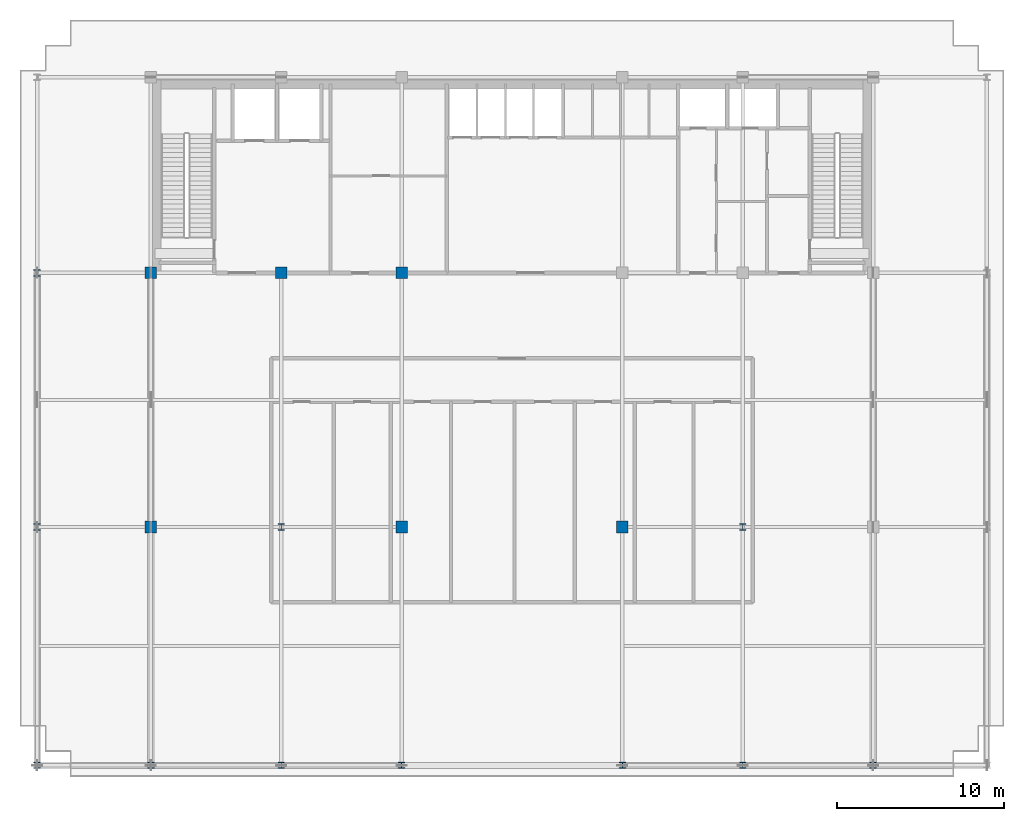
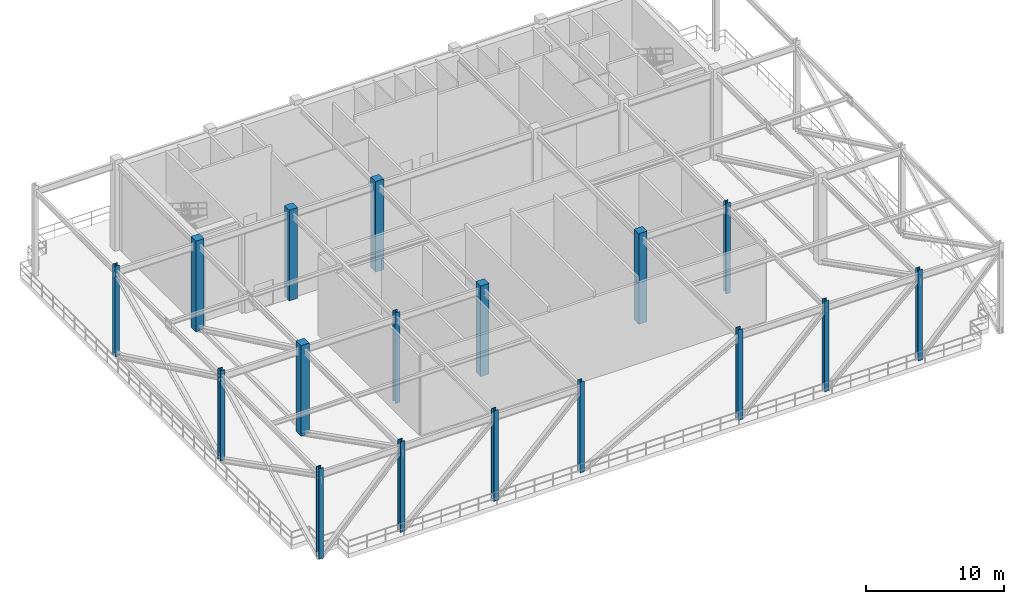
# One storey, part 1 of 14: 17 columns.
"""IFC4 building model written with IfcOpenShell, lengths in metres."""

from ifc_helpers import new_model, si_unit, direction, frame, origin, origin_2d, place, context, subcontext, project, spatial, rectangle, i_section, extrude, source, transform, mapped, material, material_profile, profile_set, type_object, element, save


model = new_model("IFC4")

# Units and contexts
model_context = context("Model", 3, precision=1e-05, world=origin(), true_north=direction((0.0, 1.0)))
body_context = subcontext(model_context, "Body", "Model", "MODEL_VIEW")
ifc_project = project(units=[si_unit("LENGTHUNIT", "METRE"), si_unit("AREAUNIT", "SQUARE_METRE"), si_unit("VOLUMEUNIT", "CUBIC_METRE"), si_unit("PLANEANGLEUNIT", "RADIAN"), si_unit("MASSUNIT", "GRAM", prefix="KILO")], contexts=[model_context])

# Site, building, storey
site_placement = place(None, origin())
site = spatial("IfcSite", under=ifc_project, at=site_placement, CompositionType="ELEMENT")
building_placement = place(site_placement, origin())
building = spatial("IfcBuilding", under=site, at=building_placement, Name="Trelvane Seafront Commons", CompositionType="ELEMENT")
storey_placement = place(building_placement, frame((0.0, 0.0, 182.5)))
storey = spatial("IfcBuildingStorey", under=building, at=storey_placement, Name="L48", CompositionType="ELEMENT", Elevation=182.5)

# Columns
ifc_material_1 = material(Name="Steel SM355 (S355)", Category="steel")
ifc_material_profile_1 = material_profile(ifc_material_1, i_section(OverallWidth=0.3798828125, OverallDepth=0.3798828125, WebThickness=0.02001953125, FlangeThickness=0.030029296875, at=origin_2d()), Name="HD-380x380x20x30")
ifc_profile_set_1 = profile_set([ifc_material_profile_1], Name="Steel SM355 (S355)")
column_type_1 = type_object("IfcColumnType", Name="STR-COL-HD380", PredefinedType="COLUMN", material=ifc_profile_set_1)
shared_shape_1 = source(origin(), body_context, "Body", "SweptSolid", [
    extrude(i_section(OverallWidth=0.3798828125, OverallDepth=0.3798828125, WebThickness=0.02001953125, FlangeThickness=0.030029296875, at=origin_2d()), origin(), (0.0, 0.0, 1.0), 8.0),
])
for number, where, z_axis, x_axis, name in (
    (1, (8.800048828125, 3.949951171875, 0.0), (0.0, 0.0, 1.0), (1.0, 0.0, 0.0), "L48 Column TC-S8.8"),
    (2, (8.800048828125, 18.199951171875, 0.0), (0.0, 0.0, 1.0), (1.0, 0.0, 0.0), "L48 Column TC-M8.8"),
    (3, (8.800048828125, 33.39990234375, 0.0), (0.0, 0.0, 1.0), (1.0, 0.0, 0.0), "L48 Column TC-CS8.8"),
    (4, (15.60009765625, 3.949951171875, 0.0), (0.0, 0.0, 1.0), (1.0, 0.0, 0.0), "L48 Column TC-S15.6"),
    (5, (23.39990234375, 3.949951171875, 0.0), (0.0, 0.0, 1.0), (1.0, 0.0, 0.0), "L48 Column TC-S23.4"),
    (6, (23.39990234375, 18.199951171875, 0.0), (0.0, 0.0, 1.0), (1.0, 0.0, 0.0), "L48 Column TC-M23.4"),
    (7, (30.60009765625, 3.949951171875, 0.0), (0.0, 0.0, 1.0), (1.0, 0.0, 0.0), "L48 Column TC-S30.6"),
    (8, (43.800048828125, 3.949951171875, 0.0), (0.0, 0.0, 1.0), (1.0, 0.0, 0.0), "L48 Column TC-S43.8"),
    (9, (51.0, 3.949951171875, 0.0), (0.0, 0.0, 1.0), (1.0, 0.0, 0.0), "L48 Column TC-S51.0"),
    (10, (51.0, 18.199951171875, 0.0), (0.0, 0.0, 1.0), (1.0, 0.0, 0.0), "L48 Column TC-M51.0"),
    (11, (58.800048828125, 3.949951171875, 0.0), (0.0, 0.0, 1.0), (1.0, 0.0, 0.0), "L48 Column TC-S58.8"),
):
    element("IfcColumn", number, at=place(storey_placement, frame(where, z_axis=z_axis, x_axis=x_axis)), inside=storey, type_object=column_type_1, Name=name, PredefinedType="COLUMN", context=body_context, shape_type="MappedRepresentation", body=[
        mapped(shared_shape_1, transform((0.0, 0.0, 0.0), x_axis=(1.0, 0.0, 0.0), y_axis=(0.0, 1.0, 0.0), z_axis=(0.0, 0.0, 1.0), scale=1.0)),
    ])
ifc_material_2 = material(Name="Concrete C50/60", Category="concrete")
ifc_material_profile_2 = material_profile(ifc_material_2, rectangle(XDim=0.699951171875, YDim=0.699951171875, at=origin_2d()), Name="RC-700x700")
ifc_profile_set_2 = profile_set([ifc_material_profile_2], Name="Concrete C50/60")
column_type_2 = type_object("IfcColumnType", Name="STR-COL-RC700", PredefinedType="COLUMN", material=ifc_profile_set_2)
shared_shape_2 = source(origin(), body_context, "Body", "SweptSolid", [
    extrude(rectangle(XDim=0.699951171875, YDim=0.699951171875, at=origin_2d()), origin(), (0.0, 0.0, 1.0), 8.0),
])
for number, where, z_axis, x_axis, name in (
    (12, (15.60009765625, 18.199951171875, 0.0), (0.0, 0.0, 1.0), (1.0, 0.0, 0.0), "L48 Column TC-M15.6"),
    (13, (15.60009765625, 33.39990234375, 0.0), (0.0, 0.0, 1.0), (1.0, 0.0, 0.0), "L48 Column TC-CS15.6"),
    (14, (23.39990234375, 33.39990234375, 0.0), (0.0, 0.0, 1.0), (1.0, 0.0, 0.0), "L48 Column TC-CS23.4"),
    (15, (30.60009765625, 18.199951171875, 0.0), (0.0, 0.0, 1.0), (1.0, 0.0, 0.0), "L48 Column TC-M30.6"),
    (16, (30.60009765625, 33.39990234375, 0.0), (0.0, 0.0, 1.0), (1.0, 0.0, 0.0), "L48 Column TC-CS30.6"),
    (17, (43.800048828125, 18.199951171875, 0.0), (0.0, 0.0, 1.0), (1.0, 0.0, 0.0), "L48 Column TC-M43.8"),
):
    element("IfcColumn", number, at=place(storey_placement, frame(where, z_axis=z_axis, x_axis=x_axis)), inside=storey, type_object=column_type_2, Name=name, PredefinedType="COLUMN", context=body_context, shape_type="MappedRepresentation", body=[
        mapped(shared_shape_2, transform((0.0, 0.0, 0.0), x_axis=(1.0, 0.0, 0.0), y_axis=(0.0, 1.0, 0.0), z_axis=(0.0, 0.0, 1.0), scale=1.0)),
    ])

save(model, "model.ifc")
